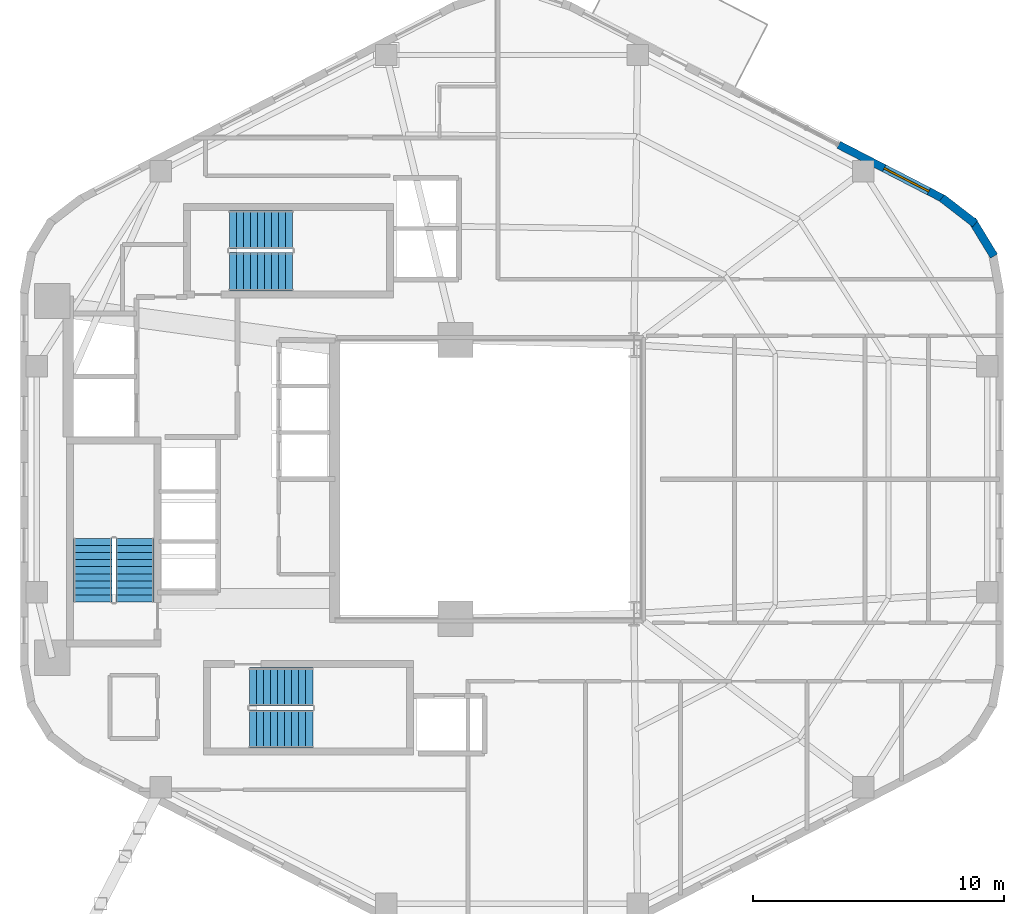
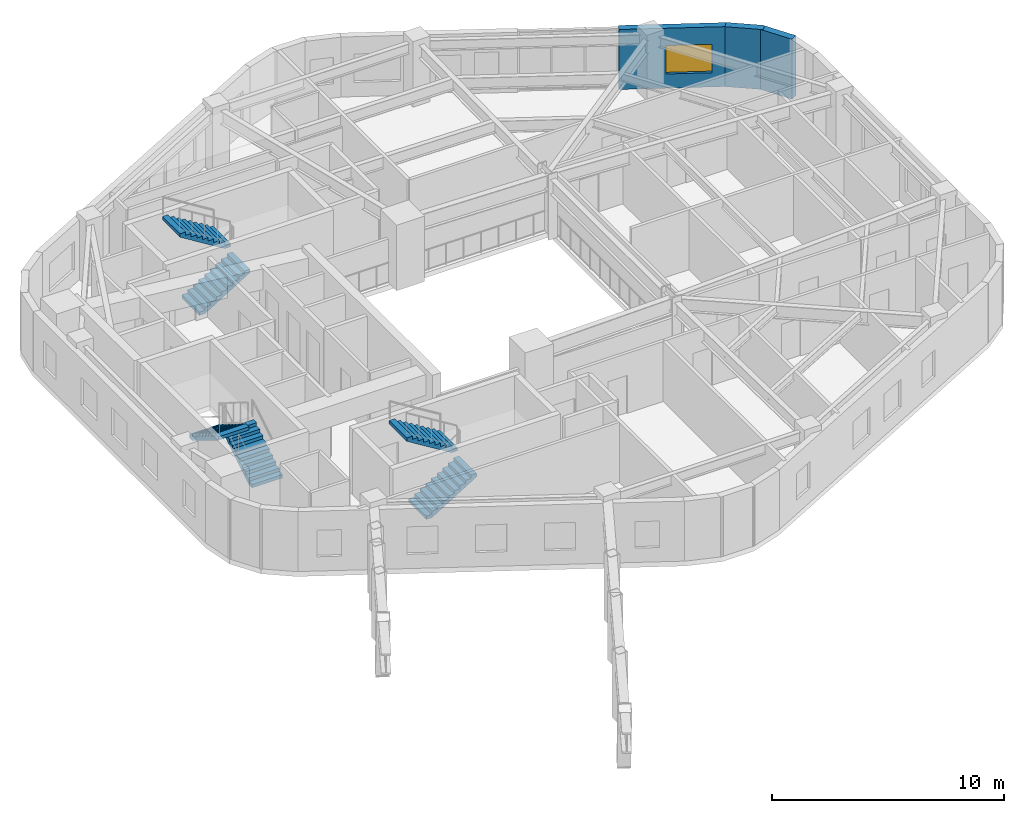
# One storey, part 9 of 11: 6 stair flights, 3 walls, 1 window, 1 opening, 3 elements without a shape of their own.
"""IFC4 building model written with IfcOpenShell, lengths in metres."""

from ifc_helpers import new_model, si_unit, direction, frame, frame_2d, origin, place, context, subcontext, project, spatial, polyline, rectangle, outline, extrude, material, layer, layer_set, type_object, element, fill, aggregate, save


model = new_model("IFC4")

# Units and contexts
model_context = context("Model", 3, precision=1e-05, world=origin(), true_north=direction((0.0, 1.0)))
body_context = subcontext(model_context, "Body", "Model", "MODEL_VIEW")
ifc_project = project(units=[si_unit("LENGTHUNIT", "METRE"), si_unit("AREAUNIT", "SQUARE_METRE"), si_unit("VOLUMEUNIT", "CUBIC_METRE"), si_unit("PLANEANGLEUNIT", "RADIAN"), si_unit("MASSUNIT", "GRAM", prefix="KILO"), si_unit("THERMODYNAMICTEMPERATUREUNIT", "KELVIN"), si_unit("POWERUNIT", "WATT")], contexts=[model_context])

# Site, building, storey
site_placement = place(None, origin())
site = spatial("IfcSite", under=ifc_project, at=site_placement, CompositionType="ELEMENT")
building_placement = place(site_placement, origin())
building = spatial("IfcBuilding", under=site, at=building_placement, Name="Skarre Station Tower", CompositionType="ELEMENT")
storey_placement = place(building_placement, frame((0.0, 0.0, 170.550048828125)))
storey = spatial("IfcBuildingStorey", under=building, at=storey_placement, Name="L46", CompositionType="ELEMENT", Elevation=170.550048828125)

# Walls
ifc_material_1 = material(Name="Precast concrete C45/55", Category="concrete")
ifc_layer_1 = layer(ifc_material_1, 0.330078125, Name="Precast concrete C45/55")
ifc_layer_set_1 = layer_set([ifc_layer_1], Name="Precast concrete C45/55")
wall_type_1 = type_object("IfcWallType", Name="Nordic Rounded Corner Precast Wall 330", PredefinedType="STANDARD", material=ifc_layer_set_1)
wall_1_placement = place(storey_placement, frame((51.7109375, 35.199951171875, 0.0), z_axis=(0.0, 0.0, 1.0), x_axis=(0.791464279355, -0.611215423976, 0.0)))
element("IfcWall", 1, at=wall_1_placement, inside=storey, type_object=wall_type_1, Name="L46 Rounded Corner Precast Wall F0-1", PredefinedType="STANDARD", context=body_context, shape_type="SweptSolid", body=[
    extrude(rectangle(XDim=1.6767578125, YDim=0.330078125, at=frame_2d((0.83837890625, 0.0))), origin(), (0.0, 0.0, 1.0), 3.159912109375),
])
wall_2_placement = place(storey_placement, frame((52.912109375, 34.31494140625, 0.0), z_axis=(0.0, 0.0, 1.0), x_axis=(0.520219286058, -0.85403272444, 0.0)))
element("IfcWall", 2, at=wall_2_placement, inside=storey, type_object=wall_type_1, Name="L46 Rounded Corner Precast Wall F0-2", PredefinedType="STANDARD", context=body_context, shape_type="SweptSolid", body=[
    extrude(rectangle(XDim=1.677734375, YDim=0.330078125, at=frame_2d((0.8388671875, 0.0))), origin(), (0.0, 0.0, 1.0), 3.159912109375),
])

# Wall, opening, window
ifc_layer_2 = layer(ifc_material_1, 0.31005859375, Name="Precast concrete C45/55")
ifc_layer_set_2 = layer_set([ifc_layer_2], Name="Precast concrete C45/55")
wall_type_2 = type_object("IfcWallType", Name="Nordic Upper-Zone Precast Facet Wall 310", PredefinedType="STANDARD", material=ifc_layer_set_2)
wall_3_placement = place(storey_placement, frame((47.60498046875, 37.31396484375, 0.0), z_axis=(0.0, 0.0, 1.0), x_axis=(0.888633599899, -0.458617842141, 0.0)))
wall_3 = element("IfcWall", 3, at=wall_3_placement, inside=storey, type_object=wall_type_2, Name="L46 Facet 0 Pier B", PredefinedType="STANDARD", context=body_context, shape_type="SweptSolid", body=[
    extrude(rectangle(XDim=4.711669921875, YDim=0.31005859375, at=frame_2d((2.35595703125, 0.0))), origin(), (0.0, 0.0, 1.0), 3.159912109375),
])
opening_placement = place(wall_3_placement, frame((2.035888671875, 0.0, 0.75)))
opening = element("IfcOpeningElement", 4, at=opening_placement, cuts=wall_3, Name="Opening WN-Z3A", PredefinedType="OPENING", context=body_context, shape_type="SweptSolid", body=[
    extrude(rectangle(XDim=2.0, YDim=1.5, at=frame_2d((1.0, 0.75))), frame((0.0, 0.1650390625, 0.0), z_axis=(0.0, -1.0, 0.0), x_axis=(1.0, 0.0, 0.0)), (0.0, 0.0, 1.0), 0.330078125),
])
ifc_material_2 = material(Name="Low-Iron Triple Glazing with Bronze Anodized Frame", Category="glass")
window_type = type_object("IfcWindowType", Name="Nordic Hospitality Window 2000x1500", PartitioningType="SINGLE_PANEL", PredefinedType="WINDOW", material=ifc_material_2)
window_placement = place(opening_placement, origin())
window = element("IfcWindow", 5, at=window_placement, inside=storey, type_object=window_type, Name="L46 Facade Window WL-FAC-L46-F0B-1", OverallHeight=1.5, OverallWidth=2.0, PartitioningType="SINGLE_PANEL", PredefinedType="WINDOW", context=body_context, shape_type="SweptSolid", body=[
    extrude(rectangle(XDim=2.0, YDim=1.5, at=frame_2d((1.0, 0.75))), frame((0.0, 0.030029296875, 0.0), z_axis=(0.0, -1.0, 0.0), x_axis=(1.0, 0.0, 0.0)), (0.0, 0.0, 1.0), 0.06005859375),
])
fill(opening, window)

# Stair, stair flights
ifc_material_3 = material(Name="Concrete C40/50", Category="concrete")
stair_type_1 = type_object("IfcStairType", Name="Reinforced Concrete Exit Stair ST-1", PredefinedType="HALF_TURN_STAIR", material=ifc_material_3)
stair_1_placement = place(storey_placement, origin())
stair_1 = element("IfcStair", 6, at=stair_1_placement, inside=storey, type_object=stair_type_1, Name="L46 Core Exit Stair ST-1", PredefinedType="HALF_TURN_STAIR")
stair_flight_type_1 = type_object("IfcStairFlightType", Name="Reinforced Concrete Stair Flight ST-1", PredefinedType="STRAIGHT", material=ifc_material_3)
stair_flight_1_placement = place(storey_placement, frame((19.590087890625, 19.1201171875, 0.0), z_axis=(0.0, 0.0, 1.0), x_axis=(0.0, 1.0, 0.0)))
stair_flight_1 = element("IfcStairFlight", 7, at=stair_flight_1_placement, type_object=stair_flight_type_1, Name="ST-1 flight 1", NumberOfRisers=10, NumberOfTreads=9, PredefinedType="STRAIGHT", RiserHeight=0.1725, TreadLength=0.28, context=body_context, shape_type="SweptSolid", body=[
    extrude(outline(polyline([(0.0, 0.0), (0.0, 0.172607421875), (0.280029296875, 0.172607421875), (0.280029296875, 0.344970703125), (0.56005859375, 0.344970703125), (0.56005859375, 0.517578125), (0.840087890625, 0.517578125), (0.840087890625, 0.68994140625), (1.1201171875, 0.68994140625), (1.1201171875, 0.862548828125), (1.39990234375, 0.862548828125), (1.39990234375, 1.034912109375), (1.679931640625, 1.034912109375), (1.679931640625, 1.20751953125), (1.9599609375, 1.20751953125), (1.9599609375, 1.3798828125), (2.239990234375, 1.3798828125), (2.239990234375, 1.552490234375), (2.52001953125, 1.552490234375), (2.52001953125, 1.72509765625), (2.52001953125, 1.37646484375), (0.285888671875, 0.0), (0.0, 0.0)])), frame((0.0, 0.760009765625, 0.0), z_axis=(0.0, -1.0, 0.0), x_axis=(1.0, 0.0, 0.0)), (0.0, 0.0, 1.0), 1.52001953125),
])
stair_flight_2_placement = place(storey_placement, frame((17.909912109375, 21.639892578125, 1.724853515625), z_axis=(0.0, 0.0, 1.0), x_axis=(0.0, -1.0, 0.0)))
stair_flight_2 = element("IfcStairFlight", 8, at=stair_flight_2_placement, type_object=stair_flight_type_1, Name="ST-1 flight 2", NumberOfRisers=10, NumberOfTreads=9, PredefinedType="STRAIGHT", RiserHeight=0.1725, TreadLength=0.28, context=body_context, shape_type="SweptSolid", body=[
    extrude(outline(polyline([(0.0, 0.0), (0.0, 0.172607421875), (0.280029296875, 0.172607421875), (0.280029296875, 0.344970703125), (0.56005859375, 0.344970703125), (0.56005859375, 0.517578125), (0.840087890625, 0.517578125), (0.840087890625, 0.68994140625), (1.1201171875, 0.68994140625), (1.1201171875, 0.862548828125), (1.39990234375, 0.862548828125), (1.39990234375, 1.034912109375), (1.679931640625, 1.034912109375), (1.679931640625, 1.20751953125), (1.9599609375, 1.20751953125), (1.9599609375, 1.3798828125), (2.239990234375, 1.3798828125), (2.239990234375, 1.552490234375), (2.52001953125, 1.552490234375), (2.52001953125, 1.72509765625), (2.52001953125, 1.37646484375), (0.285888671875, 0.0), (0.0, 0.0)])), frame((0.0, 0.760009765625, 0.0), z_axis=(0.0, -1.0, 0.0), x_axis=(1.0, 0.0, 0.0)), (0.0, 0.0, 1.0), 1.52001953125),
])
aggregate(stair_1, [stair_flight_1, stair_flight_2])

stair_type_2 = type_object("IfcStairType", Name="Reinforced Concrete Exit Stair ST-2", PredefinedType="HALF_TURN_STAIR", material=ifc_material_3)
stair_2_placement = place(storey_placement, origin())
stair_2 = element("IfcStair", 9, at=stair_2_placement, inside=storey, type_object=stair_type_2, Name="L46 Core Exit Stair ST-2", PredefinedType="HALF_TURN_STAIR")
stair_flight_type_2 = type_object("IfcStairFlightType", Name="Reinforced Concrete Stair Flight ST-2", PredefinedType="STRAIGHT", material=ifc_material_3)
stair_flight_3_placement = place(storey_placement, frame((24.14990234375, 14.06005859375, 0.0), z_axis=(0.0, 0.0, 1.0), x_axis=(1.0, 0.0, 0.0)))
stair_flight_3 = element("IfcStairFlight", 10, at=stair_flight_3_placement, type_object=stair_flight_type_2, Name="ST-2 flight 1", NumberOfRisers=10, NumberOfTreads=9, PredefinedType="STRAIGHT", RiserHeight=0.1725, TreadLength=0.28, context=body_context, shape_type="SweptSolid", body=[
    extrude(outline(polyline([(0.0, 0.0), (0.0, 0.172607421875), (0.280029296875, 0.172607421875), (0.280029296875, 0.344970703125), (0.56005859375, 0.344970703125), (0.56005859375, 0.517578125), (0.840087890625, 0.517578125), (0.840087890625, 0.68994140625), (1.1201171875, 0.68994140625), (1.1201171875, 0.862548828125), (1.39990234375, 0.862548828125), (1.39990234375, 1.034912109375), (1.679931640625, 1.034912109375), (1.679931640625, 1.20751953125), (1.9599609375, 1.20751953125), (1.9599609375, 1.3798828125), (2.239990234375, 1.3798828125), (2.239990234375, 1.552490234375), (2.52001953125, 1.552490234375), (2.52001953125, 1.72509765625), (2.52001953125, 1.37646484375), (0.285888671875, 0.0), (0.0, 0.0)])), frame((0.0, 0.760009765625, 0.0), z_axis=(0.0, -1.0, 0.0), x_axis=(1.0, 0.0, 0.0)), (0.0, 0.0, 1.0), 1.52001953125),
])
stair_flight_4_placement = place(storey_placement, frame((26.669921875, 15.739990234375, 1.724853515625), z_axis=(0.0, 0.0, 1.0), x_axis=(-1.0, 0.0, 0.0)))
stair_flight_4 = element("IfcStairFlight", 11, at=stair_flight_4_placement, type_object=stair_flight_type_2, Name="ST-2 flight 2", NumberOfRisers=10, NumberOfTreads=9, PredefinedType="STRAIGHT", RiserHeight=0.1725, TreadLength=0.28, context=body_context, shape_type="SweptSolid", body=[
    extrude(outline(polyline([(0.0, 0.0), (0.0, 0.172607421875), (0.280029296875, 0.172607421875), (0.280029296875, 0.344970703125), (0.56005859375, 0.344970703125), (0.56005859375, 0.517578125), (0.840087890625, 0.517578125), (0.840087890625, 0.68994140625), (1.1201171875, 0.68994140625), (1.1201171875, 0.862548828125), (1.39990234375, 0.862548828125), (1.39990234375, 1.034912109375), (1.679931640625, 1.034912109375), (1.679931640625, 1.20751953125), (1.9599609375, 1.20751953125), (1.9599609375, 1.3798828125), (2.239990234375, 1.3798828125), (2.239990234375, 1.552490234375), (2.52001953125, 1.552490234375), (2.52001953125, 1.72509765625), (2.52001953125, 1.37646484375), (0.285888671875, 0.0), (0.0, 0.0)])), frame((0.0, 0.760009765625, 0.0), z_axis=(0.0, -1.0, 0.0), x_axis=(1.0, 0.0, 0.0)), (0.0, 0.0, 1.0), 1.52001953125),
])
aggregate(stair_2, [stair_flight_3, stair_flight_4])

stair_type_3 = type_object("IfcStairType", Name="Reinforced Concrete Exit Stair ST-3", PredefinedType="HALF_TURN_STAIR", material=ifc_material_3)
stair_3_placement = place(storey_placement, origin())
stair_3 = element("IfcStair", 12, at=stair_3_placement, inside=storey, type_object=stair_type_3, Name="L46 Core Exit Stair ST-3", PredefinedType="HALF_TURN_STAIR")
stair_flight_type_3 = type_object("IfcStairFlightType", Name="Reinforced Concrete Stair Flight ST-3", PredefinedType="STRAIGHT", material=ifc_material_3)
stair_flight_5_placement = place(storey_placement, frame((23.35009765625, 32.260009765625, 0.0), z_axis=(0.0, 0.0, 1.0), x_axis=(1.0, 0.0, 0.0)))
stair_flight_5 = element("IfcStairFlight", 13, at=stair_flight_5_placement, type_object=stair_flight_type_3, Name="ST-3 flight 1", NumberOfRisers=10, NumberOfTreads=9, PredefinedType="STRAIGHT", RiserHeight=0.1725, TreadLength=0.28, context=body_context, shape_type="SweptSolid", body=[
    extrude(outline(polyline([(0.0, 0.0), (0.0, 0.172607421875), (0.280029296875, 0.172607421875), (0.280029296875, 0.344970703125), (0.56005859375, 0.344970703125), (0.56005859375, 0.517578125), (0.840087890625, 0.517578125), (0.840087890625, 0.68994140625), (1.1201171875, 0.68994140625), (1.1201171875, 0.862548828125), (1.39990234375, 0.862548828125), (1.39990234375, 1.034912109375), (1.679931640625, 1.034912109375), (1.679931640625, 1.20751953125), (1.9599609375, 1.20751953125), (1.9599609375, 1.3798828125), (2.239990234375, 1.3798828125), (2.239990234375, 1.552490234375), (2.52001953125, 1.552490234375), (2.52001953125, 1.72509765625), (2.52001953125, 1.37646484375), (0.285888671875, 0.0), (0.0, 0.0)])), frame((0.0, 0.760009765625, 0.0), z_axis=(0.0, -1.0, 0.0), x_axis=(1.0, 0.0, 0.0)), (0.0, 0.0, 1.0), 1.52001953125),
])
stair_flight_6_placement = place(storey_placement, frame((25.8701171875, 33.93994140625, 1.724853515625), z_axis=(0.0, 0.0, 1.0), x_axis=(-1.0, 0.0, 0.0)))
stair_flight_6 = element("IfcStairFlight", 14, at=stair_flight_6_placement, type_object=stair_flight_type_3, Name="ST-3 flight 2", NumberOfRisers=10, NumberOfTreads=9, PredefinedType="STRAIGHT", RiserHeight=0.1725, TreadLength=0.28, context=body_context, shape_type="SweptSolid", body=[
    extrude(outline(polyline([(0.0, 0.0), (0.0, 0.172607421875), (0.280029296875, 0.172607421875), (0.280029296875, 0.344970703125), (0.56005859375, 0.344970703125), (0.56005859375, 0.517578125), (0.840087890625, 0.517578125), (0.840087890625, 0.68994140625), (1.1201171875, 0.68994140625), (1.1201171875, 0.862548828125), (1.39990234375, 0.862548828125), (1.39990234375, 1.034912109375), (1.679931640625, 1.034912109375), (1.679931640625, 1.20751953125), (1.9599609375, 1.20751953125), (1.9599609375, 1.3798828125), (2.239990234375, 1.3798828125), (2.239990234375, 1.552490234375), (2.52001953125, 1.552490234375), (2.52001953125, 1.72509765625), (2.52001953125, 1.37646484375), (0.285888671875, 0.0), (0.0, 0.0)])), frame((0.0, 0.760009765625, 0.0), z_axis=(0.0, -1.0, 0.0), x_axis=(1.0, 0.0, 0.0)), (0.0, 0.0, 1.0), 1.52001953125),
])
aggregate(stair_3, [stair_flight_5, stair_flight_6])

save(model, "model.ifc")
